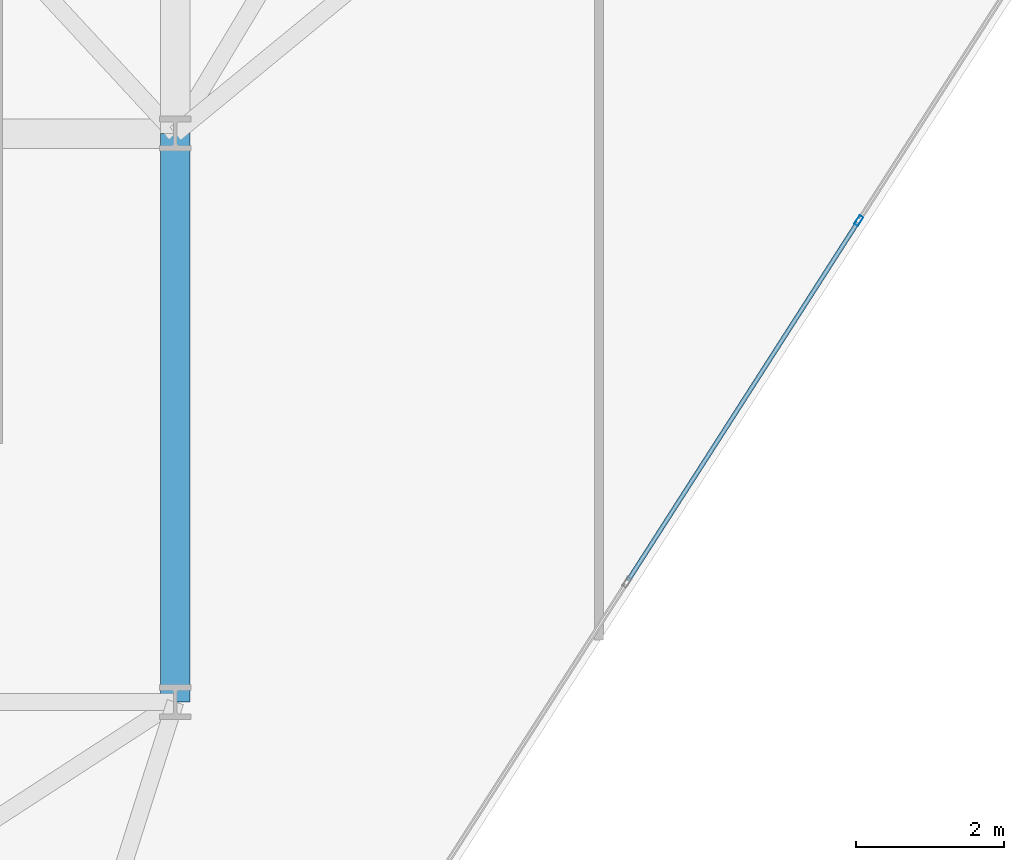
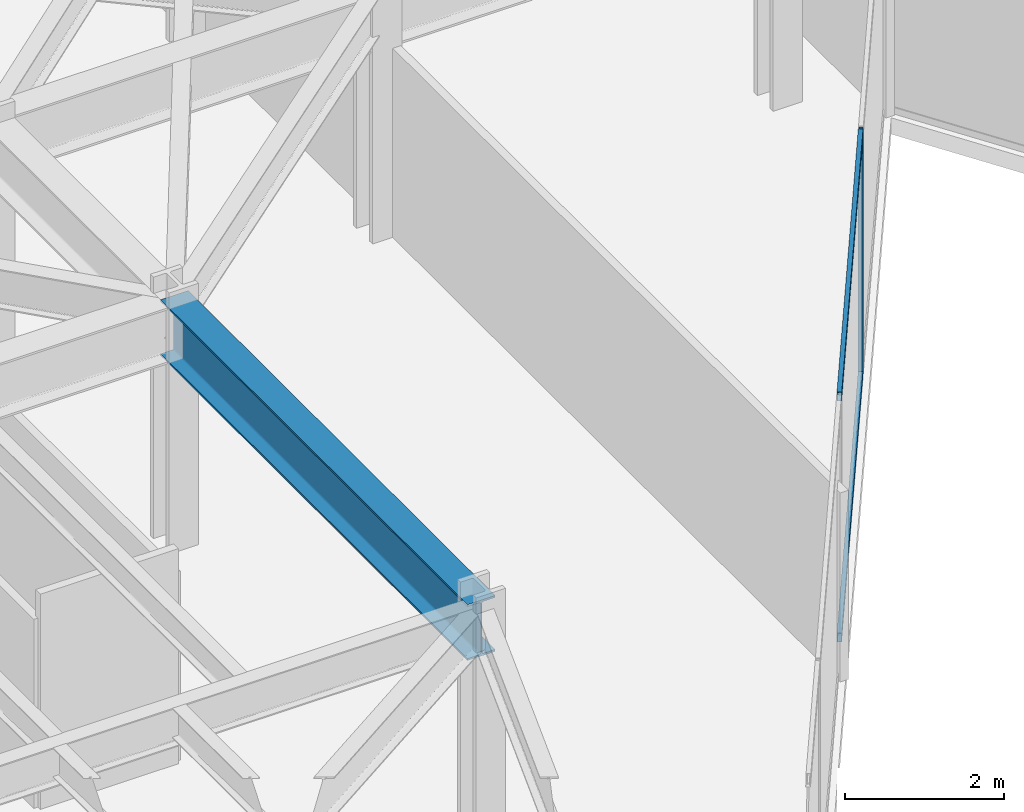
# One storey, part 8 of 26: 3 members, 1 beam, 1 element without a shape of its own.
"""IFC4 building model written with IfcOpenShell, lengths in metres."""

from ifc_helpers import new_model, si_unit, direction, frame, origin, origin_2d, place, context, subcontext, project, spatial, hollow_rectangle, i_section, extrude, material, layer, layer_set, material_profile, profile_set, type_object, element, aggregate, save


model = new_model("IFC4")

# Units and contexts
model_context = context("Model", 3, precision=1e-05, world=origin(), true_north=direction((0.0, 1.0)))
body_context = subcontext(model_context, "Body", "Model", "MODEL_VIEW")
ifc_project = project(units=[si_unit("LENGTHUNIT", "METRE"), si_unit("AREAUNIT", "SQUARE_METRE"), si_unit("VOLUMEUNIT", "CUBIC_METRE"), si_unit("PLANEANGLEUNIT", "RADIAN"), si_unit("MASSUNIT", "GRAM", prefix="KILO")], contexts=[model_context])

# Site, building, storey
site_placement = place(None, origin())
site = spatial("IfcSite", under=ifc_project, at=site_placement, CompositionType="ELEMENT")
building_placement = place(site_placement, origin())
building = spatial("IfcBuilding", under=site, at=building_placement, Name="Kravanh Interchange Tower", CompositionType="ELEMENT")
storey_placement = place(building_placement, frame((0.0, 0.0, 112.0)))
storey = spatial("IfcBuildingStorey", under=building, at=storey_placement, Name="L26", CompositionType="ELEMENT", Elevation=112.0)

# Curtain wall, members
ifc_material_1 = material(Name="Anodised Bronze Aluminium", Category="aluminium")
ifc_layer = layer(ifc_material_1, 0.179931640625)
ifc_layer_set = layer_set([ifc_layer], Name="Unitised Curtain Wall System CW-Z2 Mid Office")
curtain_wall_type = type_object("IfcCurtainWallType", Name="Unitised Curtain Wall System CW-Z2 Mid Office", PredefinedType="NOTDEFINED", material=ifc_layer_set)
curtain_wall_placement = place(storey_placement, origin())
curtain_wall = element("IfcCurtainWall", 1, at=curtain_wall_placement, inside=storey, type_object=curtain_wall_type, Name="L26 Unitised Curtain Wall CW-L26-05", PredefinedType="NOTDEFINED")
ifc_material_2 = material(Name="Anodised Bronze Aluminium", Category="aluminium")
ifc_material_profile_1 = material_profile(ifc_material_2, hollow_rectangle(XDim=0.06005859375, YDim=0.139892578125, WallThickness=0.00390625, at=origin_2d()), Name="ALU60X140X4")
ifc_profile_set_1 = profile_set([ifc_material_profile_1], Name="Anodised Bronze Aluminium")
member_type_1 = type_object("IfcMemberType", Name="Curtain Wall Mullion ALU60X140X4 Bronze", PredefinedType="MULLION", material=ifc_profile_set_1)
member_1_placement = place(storey_placement, frame((36.45849609375, 21.021728515625, 0.0), z_axis=(0.0, 0.0, 1.0), x_axis=(0.841879939476, -0.539664865919, 0.0)))
member_1 = element("IfcMember", 2, at=member_1_placement, type_object=member_type_1, Name="CW-Z2 mullion 2", PredefinedType="MULLION", context=body_context, shape_type="SweptSolid", body=[
    extrude(hollow_rectangle(XDim=0.06005859375, YDim=0.139892578125, WallThickness=0.00390625, at=origin_2d()), origin(), (0.0, 0.0, 1.0), 3.75),
])
ifc_material_3 = material(Name="Anodised Bronze Aluminium", Category="aluminium")
ifc_material_profile_2 = material_profile(ifc_material_3, hollow_rectangle(XDim=0.06005859375, YDim=0.139892578125, WallThickness=0.00390625, at=origin_2d()), Name="ALU60X140X4")
ifc_profile_set_2 = profile_set([ifc_material_profile_2], Name="Anodised Bronze Aluminium")
member_type_2 = type_object("IfcMemberType", Name="Curtain Wall Transom ALU60X140X4 Bronze", PredefinedType="USERDEFINED", material=ifc_profile_set_2)
member_2_placement = place(storey_placement, frame((36.4423828125, 20.99658203125, 0.030029296875), z_axis=(-0.539647630778, -0.841890987359, 0.0), x_axis=(0.841890987359, -0.539647630778, 0.0)))
member_2 = element("IfcMember", 3, at=member_2_placement, type_object=member_type_2, Name="CW-Z2 transom 2.1", ObjectType="TRANSOM", PredefinedType="USERDEFINED", context=body_context, shape_type="SweptSolid", body=[
    extrude(hollow_rectangle(XDim=0.06005859375, YDim=0.139892578125, WallThickness=0.00390625, at=origin_2d()), origin(), (0.0, 0.0, 1.0), 5.760986328125),
])
member_3_placement = place(storey_placement, frame((36.4423828125, 20.99658203125, 3.719970703125), z_axis=(-0.539647630778, -0.841890987359, 0.0), x_axis=(0.841890987359, -0.539647630778, 0.0)))
member_3 = element("IfcMember", 4, at=member_3_placement, type_object=member_type_2, Name="CW-Z2 transom 2.2", ObjectType="TRANSOM", PredefinedType="USERDEFINED", context=body_context, shape_type="SweptSolid", body=[
    extrude(hollow_rectangle(XDim=0.06005859375, YDim=0.139892578125, WallThickness=0.00390625, at=origin_2d()), origin(), (0.0, 0.0, 1.0), 5.760986328125),
])
aggregate(curtain_wall, [member_1, member_2, member_3])

# Beam
ifc_material_4 = material(Name="Structural Steel S355", Category="steel")
ifc_material_profile_3 = material_profile(ifc_material_4, i_section(OverallWidth=0.39990234375, OverallDepth=0.85595703125, WebThickness=0.018310546875, FlangeThickness=0.029296875, FilletRadius=0.02490234375, at=origin_2d()), Name="W33X201")
ifc_profile_set_3 = profile_set([ifc_material_profile_3], Name="Structural Steel S355")
beam_type = type_object("IfcBeamType", Name="Floor Beam W33X201 Structural Steel S355", PredefinedType="BEAM", material=ifc_profile_set_3)
beam_placement = place(storey_placement, frame((27.199951171875, 14.5, 3.322021484375), z_axis=(0.0, 1.0, 0.0), x_axis=(-1.0, 0.0, 0.0)))
element("IfcBeam", 5, at=beam_placement, inside=storey, type_object=beam_type, Name="L26 Primary Floor Girder 102", PredefinedType="BEAM", context=body_context, shape_type="SweptSolid", body=[
    extrude(i_section(OverallWidth=0.39990234375, OverallDepth=0.85595703125, WebThickness=0.018310546875, FlangeThickness=0.029296875, FilletRadius=0.02490234375, at=origin_2d()), origin(), (0.0, 0.0, 1.0), 7.699951171875),
])

save(model, "model.ifc")
